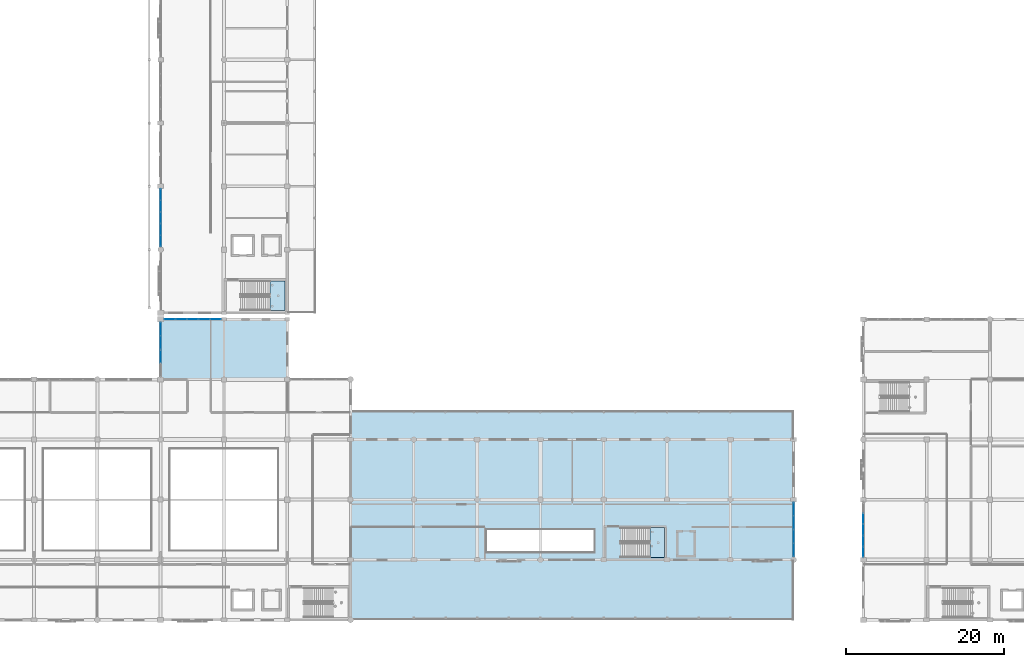
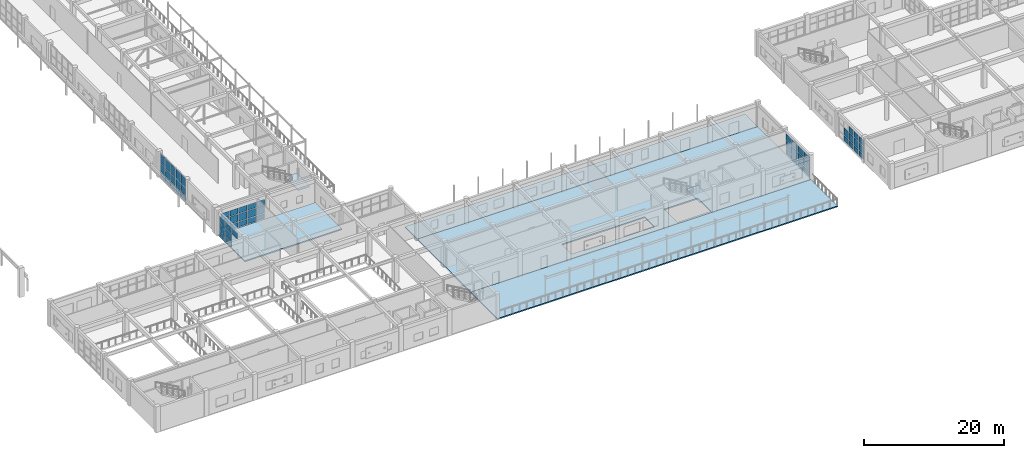
# One storey, part 112 of 160: 60 plates, 6 slabs, 7 elements without a shape of their own.
"""IFC4 building model written with IfcOpenShell, lengths in metres."""

from ifc_helpers import new_model, si_unit, direction, frame, origin, origin_2d, place, context, subcontext, project, spatial, polyline, rectangle, outline, extrude, material, layer, layer_set, type_object, element, aggregate, save


model = new_model("IFC4")

# Units and contexts
model_context = context("Model", 3, precision=1e-05, world=origin(), true_north=direction((0.0, 1.0)))
body_context = subcontext(model_context, "Body", "Model", "MODEL_VIEW")
ifc_project = project(units=[si_unit("LENGTHUNIT", "METRE"), si_unit("AREAUNIT", "SQUARE_METRE"), si_unit("VOLUMEUNIT", "CUBIC_METRE"), si_unit("PLANEANGLEUNIT", "RADIAN"), si_unit("MASSUNIT", "GRAM", prefix="KILO")], contexts=[model_context])

# Site, building, storey
site_placement = place(None, origin())
site = spatial("IfcSite", under=ifc_project, at=site_placement, CompositionType="ELEMENT")
building_placement = place(site_placement, origin())
building = spatial("IfcBuilding", under=site, at=building_placement, Name="Kharva Crest Polytechnic", CompositionType="ELEMENT")
storey_placement = place(building_placement, frame((0.0, 0.0, 4.5)))
storey = spatial("IfcBuildingStorey", under=building, at=storey_placement, Name="L01", CompositionType="ELEMENT", Elevation=4.5)

# Curtain wall, plates
ifc_material_1 = material(Name="Tempered insulated glass", Category="glass")
curtain_wall_type_1 = type_object("IfcCurtainWallType", Name="CW-SYS-COURT", PredefinedType="USERDEFINED", material=ifc_material_1)
curtain_wall_1_placement = place(storey_placement, origin())
curtain_wall_1 = element("IfcCurtainWall", 1, at=curtain_wall_1_placement, inside=storey, type_object=curtain_wall_type_1, Name="L01 Glazed Curtain Wall CW-034", ObjectType="CURTAIN WALL", PredefinedType="USERDEFINED")
ifc_layer_1 = layer(ifc_material_1, 0.02392578125, Name="Tempered insulated glass")
ifc_layer_set_1 = layer_set([ifc_layer_1], Name="Tempered insulated glass")
plate_type_1 = type_object("IfcPlateType", Name="CWP-GLZ-24", PredefinedType="CURTAIN_PANEL", material=ifc_layer_set_1)
plate_1_placement = place(storey_placement, frame((112.0, 8.851318359375, 0.119873046875), z_axis=(0.0, 0.0, 1.0), x_axis=(0.0, 1.0, 0.0)))
plate_1 = element("IfcPlate", 2, at=plate_1_placement, type_object=plate_type_1, Name="CW-034 panel 1.1", PredefinedType="CURTAIN_PANEL", context=body_context, shape_type="SweptSolid", body=[
    extrude(rectangle(XDim=1.612548828125, YDim=0.02392578125, at=origin_2d()), origin(), (0.0, 0.0, 1.0), 0.8701171875),
])
plate_2_placement = place(storey_placement, frame((112.0, 8.851318359375, 1.10986328125), z_axis=(0.0, 0.0, 1.0), x_axis=(0.0, 1.0, 0.0)))
plate_2 = element("IfcPlate", 3, at=plate_2_placement, type_object=plate_type_1, Name="CW-034 panel 1.2", PredefinedType="CURTAIN_PANEL", context=body_context, shape_type="SweptSolid", body=[
    extrude(rectangle(XDim=1.612548828125, YDim=0.02392578125, at=origin_2d()), origin(), (0.0, 0.0, 1.0), 1.280029296875),
])
plate_3_placement = place(storey_placement, frame((112.0, 8.851318359375, 2.510009765625), z_axis=(0.0, 0.0, 1.0), x_axis=(0.0, 1.0, 0.0)))
plate_3 = element("IfcPlate", 4, at=plate_3_placement, type_object=plate_type_1, Name="CW-034 panel 1.3", PredefinedType="CURTAIN_PANEL", context=body_context, shape_type="SweptSolid", body=[
    extrude(rectangle(XDim=1.612548828125, YDim=0.02392578125, at=origin_2d()), origin(), (0.0, 0.0, 1.0), 1.1298828125),
])
plate_4_placement = place(storey_placement, frame((112.0, 10.563720703125, 0.119873046875), z_axis=(0.0, 0.0, 1.0), x_axis=(0.0, 1.0, 0.0)))
plate_4 = element("IfcPlate", 5, at=plate_4_placement, type_object=plate_type_1, Name="CW-034 panel 2.1", PredefinedType="CURTAIN_PANEL", context=body_context, shape_type="SweptSolid", body=[
    extrude(rectangle(XDim=1.652587890625, YDim=0.02392578125, at=origin_2d()), origin(), (0.0, 0.0, 1.0), 0.8701171875),
])
plate_5_placement = place(storey_placement, frame((112.0, 10.563720703125, 1.10986328125), z_axis=(0.0, 0.0, 1.0), x_axis=(0.0, 1.0, 0.0)))
plate_5 = element("IfcPlate", 6, at=plate_5_placement, type_object=plate_type_1, Name="CW-034 panel 2.2", PredefinedType="CURTAIN_PANEL", context=body_context, shape_type="SweptSolid", body=[
    extrude(rectangle(XDim=1.652587890625, YDim=0.02392578125, at=origin_2d()), origin(), (0.0, 0.0, 1.0), 1.280029296875),
])
plate_6_placement = place(storey_placement, frame((112.0, 10.563720703125, 2.510009765625), z_axis=(0.0, 0.0, 1.0), x_axis=(0.0, 1.0, 0.0)))
plate_6 = element("IfcPlate", 7, at=plate_6_placement, type_object=plate_type_1, Name="CW-034 panel 2.3", PredefinedType="CURTAIN_PANEL", context=body_context, shape_type="SweptSolid", body=[
    extrude(rectangle(XDim=1.652587890625, YDim=0.02392578125, at=origin_2d()), origin(), (0.0, 0.0, 1.0), 1.1298828125),
])
plate_7_placement = place(storey_placement, frame((112.0, 12.296142578125, 0.119873046875), z_axis=(0.0, 0.0, 1.0), x_axis=(0.0, 1.0, 0.0)))
plate_7 = element("IfcPlate", 8, at=plate_7_placement, type_object=plate_type_1, Name="CW-034 panel 3.1", PredefinedType="CURTAIN_PANEL", context=body_context, shape_type="SweptSolid", body=[
    extrude(rectangle(XDim=1.652587890625, YDim=0.02392578125, at=origin_2d()), origin(), (0.0, 0.0, 1.0), 0.8701171875),
])
plate_8_placement = place(storey_placement, frame((112.0, 12.296142578125, 1.10986328125), z_axis=(0.0, 0.0, 1.0), x_axis=(0.0, 1.0, 0.0)))
plate_8 = element("IfcPlate", 9, at=plate_8_placement, type_object=plate_type_1, Name="CW-034 panel 3.2", PredefinedType="CURTAIN_PANEL", context=body_context, shape_type="SweptSolid", body=[
    extrude(rectangle(XDim=1.652587890625, YDim=0.02392578125, at=origin_2d()), origin(), (0.0, 0.0, 1.0), 1.280029296875),
])
plate_9_placement = place(storey_placement, frame((112.0, 12.296142578125, 2.510009765625), z_axis=(0.0, 0.0, 1.0), x_axis=(0.0, 1.0, 0.0)))
plate_9 = element("IfcPlate", 10, at=plate_9_placement, type_object=plate_type_1, Name="CW-034 panel 3.3", PredefinedType="CURTAIN_PANEL", context=body_context, shape_type="SweptSolid", body=[
    extrude(rectangle(XDim=1.652587890625, YDim=0.02392578125, at=origin_2d()), origin(), (0.0, 0.0, 1.0), 1.1298828125),
])
plate_10_placement = place(storey_placement, frame((112.0, 14.0087890625, 0.119873046875), z_axis=(0.0, 0.0, 1.0), x_axis=(0.0, 1.0, 0.0)))
plate_10 = element("IfcPlate", 11, at=plate_10_placement, type_object=plate_type_1, Name="CW-034 panel 4.1", PredefinedType="CURTAIN_PANEL", context=body_context, shape_type="SweptSolid", body=[
    extrude(rectangle(XDim=1.612548828125, YDim=0.02392578125, at=origin_2d()), origin(), (0.0, 0.0, 1.0), 0.8701171875),
])
plate_11_placement = place(storey_placement, frame((112.0, 14.0087890625, 1.10986328125), z_axis=(0.0, 0.0, 1.0), x_axis=(0.0, 1.0, 0.0)))
plate_11 = element("IfcPlate", 12, at=plate_11_placement, type_object=plate_type_1, Name="CW-034 panel 4.2", PredefinedType="CURTAIN_PANEL", context=body_context, shape_type="SweptSolid", body=[
    extrude(rectangle(XDim=1.612548828125, YDim=0.02392578125, at=origin_2d()), origin(), (0.0, 0.0, 1.0), 1.280029296875),
])
plate_12_placement = place(storey_placement, frame((112.0, 14.0087890625, 2.510009765625), z_axis=(0.0, 0.0, 1.0), x_axis=(0.0, 1.0, 0.0)))
plate_12 = element("IfcPlate", 13, at=plate_12_placement, type_object=plate_type_1, Name="CW-034 panel 4.3", PredefinedType="CURTAIN_PANEL", context=body_context, shape_type="SweptSolid", body=[
    extrude(rectangle(XDim=1.612548828125, YDim=0.02392578125, at=origin_2d()), origin(), (0.0, 0.0, 1.0), 1.1298828125),
])
aggregate(curtain_wall_1, [plate_1, plate_2, plate_3, plate_4, plate_5, plate_6, plate_7, plate_8, plate_9, plate_10, plate_11, plate_12])

curtain_wall_2_placement = place(storey_placement, origin())
curtain_wall_2 = element("IfcCurtainWall", 14, at=curtain_wall_2_placement, inside=storey, type_object=curtain_wall_type_1, Name="L01 Glazed Curtain Wall CW-036", ObjectType="CURTAIN WALL", PredefinedType="USERDEFINED")
plate_13_placement = place(storey_placement, frame((38.946044921875, 38.0, 0.119873046875), z_axis=(0.0, 0.0, 1.0), x_axis=(-1.0, 0.0, 0.0)))
plate_13 = element("IfcPlate", 15, at=plate_13_placement, type_object=plate_type_1, Name="CW-036 panel 1.1", PredefinedType="CURTAIN_PANEL", context=body_context, shape_type="SweptSolid", body=[
    extrude(rectangle(XDim=1.337890625, YDim=0.02392578125, at=origin_2d()), origin(), (0.0, 0.0, 1.0), 0.8701171875),
])
plate_14_placement = place(storey_placement, frame((38.946044921875, 38.0, 1.10986328125), z_axis=(0.0, 0.0, 1.0), x_axis=(-1.0, 0.0, 0.0)))
plate_14 = element("IfcPlate", 16, at=plate_14_placement, type_object=plate_type_1, Name="CW-036 panel 1.2", PredefinedType="CURTAIN_PANEL", context=body_context, shape_type="SweptSolid", body=[
    extrude(rectangle(XDim=1.337890625, YDim=0.02392578125, at=origin_2d()), origin(), (0.0, 0.0, 1.0), 1.280029296875),
])
plate_15_placement = place(storey_placement, frame((38.946044921875, 38.0, 2.510009765625), z_axis=(0.0, 0.0, 1.0), x_axis=(-1.0, 0.0, 0.0)))
plate_15 = element("IfcPlate", 17, at=plate_15_placement, type_object=plate_type_1, Name="CW-036 panel 1.3", PredefinedType="CURTAIN_PANEL", context=body_context, shape_type="SweptSolid", body=[
    extrude(rectangle(XDim=1.337890625, YDim=0.02392578125, at=origin_2d()), origin(), (0.0, 0.0, 1.0), 0.93994140625),
])
plate_16_placement = place(storey_placement, frame((37.508056640625, 38.0, 0.119873046875), z_axis=(0.0, 0.0, 1.0), x_axis=(-1.0, 0.0, 0.0)))
plate_16 = element("IfcPlate", 18, at=plate_16_placement, type_object=plate_type_1, Name="CW-036 panel 2.1", PredefinedType="CURTAIN_PANEL", context=body_context, shape_type="SweptSolid", body=[
    extrude(rectangle(XDim=1.3779296875, YDim=0.02392578125, at=origin_2d()), origin(), (0.0, 0.0, 1.0), 0.8701171875),
])
plate_17_placement = place(storey_placement, frame((37.508056640625, 38.0, 1.10986328125), z_axis=(0.0, 0.0, 1.0), x_axis=(-1.0, 0.0, 0.0)))
plate_17 = element("IfcPlate", 19, at=plate_17_placement, type_object=plate_type_1, Name="CW-036 panel 2.2", PredefinedType="CURTAIN_PANEL", context=body_context, shape_type="SweptSolid", body=[
    extrude(rectangle(XDim=1.3779296875, YDim=0.02392578125, at=origin_2d()), origin(), (0.0, 0.0, 1.0), 1.280029296875),
])
plate_18_placement = place(storey_placement, frame((37.508056640625, 38.0, 2.510009765625), z_axis=(0.0, 0.0, 1.0), x_axis=(-1.0, 0.0, 0.0)))
plate_18 = element("IfcPlate", 20, at=plate_18_placement, type_object=plate_type_1, Name="CW-036 panel 2.3", PredefinedType="CURTAIN_PANEL", context=body_context, shape_type="SweptSolid", body=[
    extrude(rectangle(XDim=1.3779296875, YDim=0.02392578125, at=origin_2d()), origin(), (0.0, 0.0, 1.0), 0.93994140625),
])
plate_19_placement = place(storey_placement, frame((36.050048828125, 38.0, 0.119873046875), z_axis=(0.0, 0.0, 1.0), x_axis=(-1.0, 0.0, 0.0)))
plate_19 = element("IfcPlate", 21, at=plate_19_placement, type_object=plate_type_1, Name="CW-036 panel 3.1", PredefinedType="CURTAIN_PANEL", context=body_context, shape_type="SweptSolid", body=[
    extrude(rectangle(XDim=1.3779296875, YDim=0.02392578125, at=origin_2d()), origin(), (0.0, 0.0, 1.0), 0.8701171875),
])
plate_20_placement = place(storey_placement, frame((36.050048828125, 38.0, 1.10986328125), z_axis=(0.0, 0.0, 1.0), x_axis=(-1.0, 0.0, 0.0)))
plate_20 = element("IfcPlate", 22, at=plate_20_placement, type_object=plate_type_1, Name="CW-036 panel 3.2", PredefinedType="CURTAIN_PANEL", context=body_context, shape_type="SweptSolid", body=[
    extrude(rectangle(XDim=1.3779296875, YDim=0.02392578125, at=origin_2d()), origin(), (0.0, 0.0, 1.0), 1.280029296875),
])
plate_21_placement = place(storey_placement, frame((36.050048828125, 38.0, 2.510009765625), z_axis=(0.0, 0.0, 1.0), x_axis=(-1.0, 0.0, 0.0)))
plate_21 = element("IfcPlate", 23, at=plate_21_placement, type_object=plate_type_1, Name="CW-036 panel 3.3", PredefinedType="CURTAIN_PANEL", context=body_context, shape_type="SweptSolid", body=[
    extrude(rectangle(XDim=1.3779296875, YDim=0.02392578125, at=origin_2d()), origin(), (0.0, 0.0, 1.0), 0.93994140625),
])
plate_22_placement = place(storey_placement, frame((34.592041015625, 38.0, 0.119873046875), z_axis=(0.0, 0.0, 1.0), x_axis=(-1.0, 0.0, 0.0)))
plate_22 = element("IfcPlate", 24, at=plate_22_placement, type_object=plate_type_1, Name="CW-036 panel 4.1", PredefinedType="CURTAIN_PANEL", context=body_context, shape_type="SweptSolid", body=[
    extrude(rectangle(XDim=1.3779296875, YDim=0.02392578125, at=origin_2d()), origin(), (0.0, 0.0, 1.0), 0.8701171875),
])
plate_23_placement = place(storey_placement, frame((34.592041015625, 38.0, 1.10986328125), z_axis=(0.0, 0.0, 1.0), x_axis=(-1.0, 0.0, 0.0)))
plate_23 = element("IfcPlate", 25, at=plate_23_placement, type_object=plate_type_1, Name="CW-036 panel 4.2", PredefinedType="CURTAIN_PANEL", context=body_context, shape_type="SweptSolid", body=[
    extrude(rectangle(XDim=1.3779296875, YDim=0.02392578125, at=origin_2d()), origin(), (0.0, 0.0, 1.0), 1.280029296875),
])
plate_24_placement = place(storey_placement, frame((34.592041015625, 38.0, 2.510009765625), z_axis=(0.0, 0.0, 1.0), x_axis=(-1.0, 0.0, 0.0)))
plate_24 = element("IfcPlate", 26, at=plate_24_placement, type_object=plate_type_1, Name="CW-036 panel 4.3", PredefinedType="CURTAIN_PANEL", context=body_context, shape_type="SweptSolid", body=[
    extrude(rectangle(XDim=1.3779296875, YDim=0.02392578125, at=origin_2d()), origin(), (0.0, 0.0, 1.0), 0.93994140625),
])
plate_25_placement = place(storey_placement, frame((33.154052734375, 38.0, 0.119873046875), z_axis=(0.0, 0.0, 1.0), x_axis=(-1.0, 0.0, 0.0)))
plate_25 = element("IfcPlate", 27, at=plate_25_placement, type_object=plate_type_1, Name="CW-036 panel 5.1", PredefinedType="CURTAIN_PANEL", context=body_context, shape_type="SweptSolid", body=[
    extrude(rectangle(XDim=1.337890625, YDim=0.02392578125, at=origin_2d()), origin(), (0.0, 0.0, 1.0), 0.8701171875),
])
plate_26_placement = place(storey_placement, frame((33.154052734375, 38.0, 1.10986328125), z_axis=(0.0, 0.0, 1.0), x_axis=(-1.0, 0.0, 0.0)))
plate_26 = element("IfcPlate", 28, at=plate_26_placement, type_object=plate_type_1, Name="CW-036 panel 5.2", PredefinedType="CURTAIN_PANEL", context=body_context, shape_type="SweptSolid", body=[
    extrude(rectangle(XDim=1.337890625, YDim=0.02392578125, at=origin_2d()), origin(), (0.0, 0.0, 1.0), 1.280029296875),
])
plate_27_placement = place(storey_placement, frame((33.154052734375, 38.0, 2.510009765625), z_axis=(0.0, 0.0, 1.0), x_axis=(-1.0, 0.0, 0.0)))
plate_27 = element("IfcPlate", 29, at=plate_27_placement, type_object=plate_type_1, Name="CW-036 panel 5.3", PredefinedType="CURTAIN_PANEL", context=body_context, shape_type="SweptSolid", body=[
    extrude(rectangle(XDim=1.337890625, YDim=0.02392578125, at=origin_2d()), origin(), (0.0, 0.0, 1.0), 0.93994140625),
])
aggregate(curtain_wall_2, [plate_13, plate_14, plate_15, plate_16, plate_17, plate_18, plate_19, plate_20, plate_21, plate_22, plate_23, plate_24, plate_25, plate_26, plate_27])

curtain_wall_3_placement = place(storey_placement, origin())
curtain_wall_3 = element("IfcCurtainWall", 30, at=curtain_wall_3_placement, inside=storey, type_object=curtain_wall_type_1, Name="L01 Glazed Curtain Wall CW-037", ObjectType="CURTAIN WALL", PredefinedType="USERDEFINED")
plate_28_placement = place(storey_placement, frame((32.0, 36.779296875, 0.119873046875), z_axis=(0.0, 0.0, 1.0), x_axis=(0.0, -1.0, 0.0)))
plate_28 = element("IfcPlate", 31, at=plate_28_placement, type_object=plate_type_1, Name="CW-037 panel 1.1", PredefinedType="CURTAIN_PANEL", context=body_context, shape_type="SweptSolid", body=[
    extrude(rectangle(XDim=1.621337890625, YDim=0.02392578125, at=origin_2d()), origin(), (0.0, 0.0, 1.0), 0.8701171875),
])
plate_29_placement = place(storey_placement, frame((32.0, 36.779296875, 1.10986328125), z_axis=(0.0, 0.0, 1.0), x_axis=(0.0, -1.0, 0.0)))
plate_29 = element("IfcPlate", 32, at=plate_29_placement, type_object=plate_type_1, Name="CW-037 panel 1.2", PredefinedType="CURTAIN_PANEL", context=body_context, shape_type="SweptSolid", body=[
    extrude(rectangle(XDim=1.621337890625, YDim=0.02392578125, at=origin_2d()), origin(), (0.0, 0.0, 1.0), 1.280029296875),
])
plate_30_placement = place(storey_placement, frame((32.0, 36.779296875, 2.51025390625), z_axis=(0.0, 0.0, 1.0), x_axis=(0.0, -1.0, 0.0)))
plate_30 = element("IfcPlate", 33, at=plate_30_placement, type_object=plate_type_1, Name="CW-037 panel 1.3", PredefinedType="CURTAIN_PANEL", context=body_context, shape_type="SweptSolid", body=[
    extrude(rectangle(XDim=1.621337890625, YDim=0.02392578125, at=origin_2d()), origin(), (0.0, 0.0, 1.0), 0.969970703125),
])
plate_31_placement = place(storey_placement, frame((32.0, 35.05810546875, 0.119873046875), z_axis=(0.0, 0.0, 1.0), x_axis=(0.0, -1.0, 0.0)))
plate_31 = element("IfcPlate", 34, at=plate_31_placement, type_object=plate_type_1, Name="CW-037 panel 2.1", PredefinedType="CURTAIN_PANEL", context=body_context, shape_type="SweptSolid", body=[
    extrude(rectangle(XDim=1.6611328125, YDim=0.02392578125, at=origin_2d()), origin(), (0.0, 0.0, 1.0), 0.8701171875),
])
plate_32_placement = place(storey_placement, frame((32.0, 35.05810546875, 1.10986328125), z_axis=(0.0, 0.0, 1.0), x_axis=(0.0, -1.0, 0.0)))
plate_32 = element("IfcPlate", 35, at=plate_32_placement, type_object=plate_type_1, Name="CW-037 panel 2.2", PredefinedType="CURTAIN_PANEL", context=body_context, shape_type="SweptSolid", body=[
    extrude(rectangle(XDim=1.6611328125, YDim=0.02392578125, at=origin_2d()), origin(), (0.0, 0.0, 1.0), 1.280029296875),
])
plate_33_placement = place(storey_placement, frame((32.0, 35.05810546875, 2.51025390625), z_axis=(0.0, 0.0, 1.0), x_axis=(0.0, -1.0, 0.0)))
plate_33 = element("IfcPlate", 36, at=plate_33_placement, type_object=plate_type_1, Name="CW-037 panel 2.3", PredefinedType="CURTAIN_PANEL", context=body_context, shape_type="SweptSolid", body=[
    extrude(rectangle(XDim=1.6611328125, YDim=0.02392578125, at=origin_2d()), origin(), (0.0, 0.0, 1.0), 0.969970703125),
])
plate_34_placement = place(storey_placement, frame((32.0, 33.31689453125, 2.51025390625), z_axis=(0.0, 0.0, 1.0), x_axis=(0.0, -1.0, 0.0)))
plate_34 = element("IfcPlate", 37, at=plate_34_placement, type_object=plate_type_1, Name="CW-037 panel 3.3", PredefinedType="CURTAIN_PANEL", context=body_context, shape_type="SweptSolid", body=[
    extrude(rectangle(XDim=1.6611328125, YDim=0.02392578125, at=origin_2d()), origin(), (0.0, 0.0, 1.0), 0.969970703125),
])
aggregate(curtain_wall_3, [plate_28, plate_29, plate_30, plate_31, plate_32, plate_33, plate_34])

curtain_wall_4_placement = place(storey_placement, origin())
curtain_wall_4 = element("IfcCurtainWall", 38, at=curtain_wall_4_placement, inside=storey, type_object=curtain_wall_type_1, Name="L01 Glazed Curtain Wall CW-055", ObjectType="CURTAIN WALL", PredefinedType="USERDEFINED")
plate_35_placement = place(storey_placement, frame((32.0, 53.741943359375, 0.119873046875), z_axis=(0.0, 0.0, 1.0), x_axis=(0.0, -1.0, 0.0)))
plate_35 = element("IfcPlate", 39, at=plate_35_placement, type_object=plate_type_1, Name="CW-055 panel 1.1", PredefinedType="CURTAIN_PANEL", context=body_context, shape_type="SweptSolid", body=[
    extrude(rectangle(XDim=1.345947265625, YDim=0.02392578125, at=origin_2d()), origin(), (0.0, 0.0, 1.0), 0.8701171875),
])
plate_36_placement = place(storey_placement, frame((32.0, 53.741943359375, 1.10986328125), z_axis=(0.0, 0.0, 1.0), x_axis=(0.0, -1.0, 0.0)))
plate_36 = element("IfcPlate", 40, at=plate_36_placement, type_object=plate_type_1, Name="CW-055 panel 1.2", PredefinedType="CURTAIN_PANEL", context=body_context, shape_type="SweptSolid", body=[
    extrude(rectangle(XDim=1.345947265625, YDim=0.02392578125, at=origin_2d()), origin(), (0.0, 0.0, 1.0), 1.280029296875),
])
plate_37_placement = place(storey_placement, frame((32.0, 53.741943359375, 2.509765625), z_axis=(0.0, 0.0, 1.0), x_axis=(0.0, -1.0, 0.0)))
plate_37 = element("IfcPlate", 41, at=plate_37_placement, type_object=plate_type_1, Name="CW-055 panel 1.3", PredefinedType="CURTAIN_PANEL", context=body_context, shape_type="SweptSolid", body=[
    extrude(rectangle(XDim=1.345947265625, YDim=0.02392578125, at=origin_2d()), origin(), (0.0, 0.0, 1.0), 1.590087890625),
])
plate_38_placement = place(storey_placement, frame((32.0, 52.2958984375, 0.119873046875), z_axis=(0.0, 0.0, 1.0), x_axis=(0.0, -1.0, 0.0)))
plate_38 = element("IfcPlate", 42, at=plate_38_placement, type_object=plate_type_1, Name="CW-055 panel 2.1", PredefinedType="CURTAIN_PANEL", context=body_context, shape_type="SweptSolid", body=[
    extrude(rectangle(XDim=1.385986328125, YDim=0.02392578125, at=origin_2d()), origin(), (0.0, 0.0, 1.0), 0.8701171875),
])
plate_39_placement = place(storey_placement, frame((32.0, 52.2958984375, 1.10986328125), z_axis=(0.0, 0.0, 1.0), x_axis=(0.0, -1.0, 0.0)))
plate_39 = element("IfcPlate", 43, at=plate_39_placement, type_object=plate_type_1, Name="CW-055 panel 2.2", PredefinedType="CURTAIN_PANEL", context=body_context, shape_type="SweptSolid", body=[
    extrude(rectangle(XDim=1.385986328125, YDim=0.02392578125, at=origin_2d()), origin(), (0.0, 0.0, 1.0), 1.280029296875),
])
plate_40_placement = place(storey_placement, frame((32.0, 52.2958984375, 2.509765625), z_axis=(0.0, 0.0, 1.0), x_axis=(0.0, -1.0, 0.0)))
plate_40 = element("IfcPlate", 44, at=plate_40_placement, type_object=plate_type_1, Name="CW-055 panel 2.3", PredefinedType="CURTAIN_PANEL", context=body_context, shape_type="SweptSolid", body=[
    extrude(rectangle(XDim=1.385986328125, YDim=0.02392578125, at=origin_2d()), origin(), (0.0, 0.0, 1.0), 1.590087890625),
])
plate_41_placement = place(storey_placement, frame((32.0, 50.830078125, 0.119873046875), z_axis=(0.0, 0.0, 1.0), x_axis=(0.0, -1.0, 0.0)))
plate_41 = element("IfcPlate", 45, at=plate_41_placement, type_object=plate_type_1, Name="CW-055 panel 3.1", PredefinedType="CURTAIN_PANEL", context=body_context, shape_type="SweptSolid", body=[
    extrude(rectangle(XDim=1.385986328125, YDim=0.02392578125, at=origin_2d()), origin(), (0.0, 0.0, 1.0), 0.8701171875),
])
plate_42_placement = place(storey_placement, frame((32.0, 50.830078125, 1.10986328125), z_axis=(0.0, 0.0, 1.0), x_axis=(0.0, -1.0, 0.0)))
plate_42 = element("IfcPlate", 46, at=plate_42_placement, type_object=plate_type_1, Name="CW-055 panel 3.2", PredefinedType="CURTAIN_PANEL", context=body_context, shape_type="SweptSolid", body=[
    extrude(rectangle(XDim=1.385986328125, YDim=0.02392578125, at=origin_2d()), origin(), (0.0, 0.0, 1.0), 1.280029296875),
])
plate_43_placement = place(storey_placement, frame((32.0, 50.830078125, 2.509765625), z_axis=(0.0, 0.0, 1.0), x_axis=(0.0, -1.0, 0.0)))
plate_43 = element("IfcPlate", 47, at=plate_43_placement, type_object=plate_type_1, Name="CW-055 panel 3.3", PredefinedType="CURTAIN_PANEL", context=body_context, shape_type="SweptSolid", body=[
    extrude(rectangle(XDim=1.385986328125, YDim=0.02392578125, at=origin_2d()), origin(), (0.0, 0.0, 1.0), 1.590087890625),
])
plate_44_placement = place(storey_placement, frame((32.0, 49.364013671875, 0.119873046875), z_axis=(0.0, 0.0, 1.0), x_axis=(0.0, -1.0, 0.0)))
plate_44 = element("IfcPlate", 48, at=plate_44_placement, type_object=plate_type_1, Name="CW-055 panel 4.1", PredefinedType="CURTAIN_PANEL", context=body_context, shape_type="SweptSolid", body=[
    extrude(rectangle(XDim=1.385986328125, YDim=0.02392578125, at=origin_2d()), origin(), (0.0, 0.0, 1.0), 0.8701171875),
])
plate_45_placement = place(storey_placement, frame((32.0, 49.364013671875, 1.10986328125), z_axis=(0.0, 0.0, 1.0), x_axis=(0.0, -1.0, 0.0)))
plate_45 = element("IfcPlate", 49, at=plate_45_placement, type_object=plate_type_1, Name="CW-055 panel 4.2", PredefinedType="CURTAIN_PANEL", context=body_context, shape_type="SweptSolid", body=[
    extrude(rectangle(XDim=1.385986328125, YDim=0.02392578125, at=origin_2d()), origin(), (0.0, 0.0, 1.0), 1.280029296875),
])
plate_46_placement = place(storey_placement, frame((32.0, 49.364013671875, 2.509765625), z_axis=(0.0, 0.0, 1.0), x_axis=(0.0, -1.0, 0.0)))
plate_46 = element("IfcPlate", 50, at=plate_46_placement, type_object=plate_type_1, Name="CW-055 panel 4.3", PredefinedType="CURTAIN_PANEL", context=body_context, shape_type="SweptSolid", body=[
    extrude(rectangle(XDim=1.385986328125, YDim=0.02392578125, at=origin_2d()), origin(), (0.0, 0.0, 1.0), 1.590087890625),
])
plate_47_placement = place(storey_placement, frame((32.0, 47.91796875, 0.119873046875), z_axis=(0.0, 0.0, 1.0), x_axis=(0.0, -1.0, 0.0)))
plate_47 = element("IfcPlate", 51, at=plate_47_placement, type_object=plate_type_1, Name="CW-055 panel 5.1", PredefinedType="CURTAIN_PANEL", context=body_context, shape_type="SweptSolid", body=[
    extrude(rectangle(XDim=1.345947265625, YDim=0.02392578125, at=origin_2d()), origin(), (0.0, 0.0, 1.0), 0.8701171875),
])
plate_48_placement = place(storey_placement, frame((32.0, 47.91796875, 1.10986328125), z_axis=(0.0, 0.0, 1.0), x_axis=(0.0, -1.0, 0.0)))
plate_48 = element("IfcPlate", 52, at=plate_48_placement, type_object=plate_type_1, Name="CW-055 panel 5.2", PredefinedType="CURTAIN_PANEL", context=body_context, shape_type="SweptSolid", body=[
    extrude(rectangle(XDim=1.345947265625, YDim=0.02392578125, at=origin_2d()), origin(), (0.0, 0.0, 1.0), 1.280029296875),
])
plate_49_placement = place(storey_placement, frame((32.0, 47.91796875, 2.509765625), z_axis=(0.0, 0.0, 1.0), x_axis=(0.0, -1.0, 0.0)))
plate_49 = element("IfcPlate", 53, at=plate_49_placement, type_object=plate_type_1, Name="CW-055 panel 5.3", PredefinedType="CURTAIN_PANEL", context=body_context, shape_type="SweptSolid", body=[
    extrude(rectangle(XDim=1.345947265625, YDim=0.02392578125, at=origin_2d()), origin(), (0.0, 0.0, 1.0), 1.590087890625),
])
aggregate(curtain_wall_4, [plate_35, plate_36, plate_37, plate_38, plate_39, plate_40, plate_41, plate_42, plate_43, plate_44, plate_45, plate_46, plate_47, plate_48, plate_49])

curtain_wall_type_2 = type_object("IfcCurtainWallType", Name="CW-SYS-REFECTORY", PredefinedType="USERDEFINED", material=ifc_material_1)
curtain_wall_5_placement = place(storey_placement, origin())
curtain_wall_5 = element("IfcCurtainWall", 54, at=curtain_wall_5_placement, inside=storey, type_object=curtain_wall_type_2, Name="L01 Glazed Curtain Wall CW-044", ObjectType="CURTAIN WALL", PredefinedType="USERDEFINED")
ifc_layer_2 = layer(ifc_material_1, 0.030029296875, Name="Tempered insulated glass")
ifc_layer_set_2 = layer_set([ifc_layer_2], Name="Tempered insulated glass")
plate_type_2 = type_object("IfcPlateType", Name="CWP-GLZ-30", PredefinedType="CURTAIN_PANEL", material=ifc_layer_set_2)
plate_50_placement = place(storey_placement, frame((120.800048828125, 12.80810546875, 0.14013671875), z_axis=(0.0, 0.0, 1.0), x_axis=(0.0, -1.0, 0.0)))
plate_50 = element("IfcPlate", 55, at=plate_50_placement, type_object=plate_type_2, Name="CW-044 panel 2.1", PredefinedType="CURTAIN_PANEL", context=body_context, shape_type="SweptSolid", body=[
    extrude(rectangle(XDim=1.30810546875, YDim=0.030029296875, at=origin_2d()), origin(), (0.0, 0.0, 1.0), 0.840087890625),
])
plate_51_placement = place(storey_placement, frame((120.800048828125, 12.80810546875, 1.1201171875), z_axis=(0.0, 0.0, 1.0), x_axis=(0.0, -1.0, 0.0)))
plate_51 = element("IfcPlate", 56, at=plate_51_placement, type_object=plate_type_2, Name="CW-044 panel 2.2", PredefinedType="CURTAIN_PANEL", context=body_context, shape_type="SweptSolid", body=[
    extrude(rectangle(XDim=1.30810546875, YDim=0.030029296875, at=origin_2d()), origin(), (0.0, 0.0, 1.0), 1.260009765625),
])
plate_52_placement = place(storey_placement, frame((120.800048828125, 11.39990234375, 0.14013671875), z_axis=(0.0, 0.0, 1.0), x_axis=(0.0, -1.0, 0.0)))
plate_52 = element("IfcPlate", 57, at=plate_52_placement, type_object=plate_type_2, Name="CW-044 panel 3.1", PredefinedType="CURTAIN_PANEL", context=body_context, shape_type="SweptSolid", body=[
    extrude(rectangle(XDim=1.30810546875, YDim=0.030029296875, at=origin_2d()), origin(), (0.0, 0.0, 1.0), 0.840087890625),
])
plate_53_placement = place(storey_placement, frame((120.800048828125, 11.39990234375, 1.1201171875), z_axis=(0.0, 0.0, 1.0), x_axis=(0.0, -1.0, 0.0)))
plate_53 = element("IfcPlate", 58, at=plate_53_placement, type_object=plate_type_2, Name="CW-044 panel 3.2", PredefinedType="CURTAIN_PANEL", context=body_context, shape_type="SweptSolid", body=[
    extrude(rectangle(XDim=1.30810546875, YDim=0.030029296875, at=origin_2d()), origin(), (0.0, 0.0, 1.0), 1.260009765625),
])
plate_54_placement = place(storey_placement, frame((120.800048828125, 11.39990234375, 2.52001953125), z_axis=(0.0, 0.0, 1.0), x_axis=(0.0, -1.0, 0.0)))
plate_54 = element("IfcPlate", 59, at=plate_54_placement, type_object=plate_type_2, Name="CW-044 panel 3.3", PredefinedType="CURTAIN_PANEL", context=body_context, shape_type="SweptSolid", body=[
    extrude(rectangle(XDim=1.30810546875, YDim=0.030029296875, at=origin_2d()), origin(), (0.0, 0.0, 1.0), 0.97998046875),
])
plate_55_placement = place(storey_placement, frame((120.800048828125, 9.991943359375, 0.14013671875), z_axis=(0.0, 0.0, 1.0), x_axis=(0.0, -1.0, 0.0)))
plate_55 = element("IfcPlate", 60, at=plate_55_placement, type_object=plate_type_2, Name="CW-044 panel 4.1", PredefinedType="CURTAIN_PANEL", context=body_context, shape_type="SweptSolid", body=[
    extrude(rectangle(XDim=1.30810546875, YDim=0.030029296875, at=origin_2d()), origin(), (0.0, 0.0, 1.0), 0.840087890625),
])
plate_56_placement = place(storey_placement, frame((120.800048828125, 9.991943359375, 1.1201171875), z_axis=(0.0, 0.0, 1.0), x_axis=(0.0, -1.0, 0.0)))
plate_56 = element("IfcPlate", 61, at=plate_56_placement, type_object=plate_type_2, Name="CW-044 panel 4.2", PredefinedType="CURTAIN_PANEL", context=body_context, shape_type="SweptSolid", body=[
    extrude(rectangle(XDim=1.30810546875, YDim=0.030029296875, at=origin_2d()), origin(), (0.0, 0.0, 1.0), 1.260009765625),
])
plate_57_placement = place(storey_placement, frame((120.800048828125, 9.991943359375, 2.52001953125), z_axis=(0.0, 0.0, 1.0), x_axis=(0.0, -1.0, 0.0)))
plate_57 = element("IfcPlate", 62, at=plate_57_placement, type_object=plate_type_2, Name="CW-044 panel 4.3", PredefinedType="CURTAIN_PANEL", context=body_context, shape_type="SweptSolid", body=[
    extrude(rectangle(XDim=1.30810546875, YDim=0.030029296875, at=origin_2d()), origin(), (0.0, 0.0, 1.0), 0.97998046875),
])
plate_58_placement = place(storey_placement, frame((120.800048828125, 8.60888671875, 0.14013671875), z_axis=(0.0, 0.0, 1.0), x_axis=(0.0, -1.0, 0.0)))
plate_58 = element("IfcPlate", 63, at=plate_58_placement, type_object=plate_type_2, Name="CW-044 panel 5.1", PredefinedType="CURTAIN_PANEL", context=body_context, shape_type="SweptSolid", body=[
    extrude(rectangle(XDim=1.258056640625, YDim=0.030029296875, at=origin_2d()), origin(), (0.0, 0.0, 1.0), 0.840087890625),
])
plate_59_placement = place(storey_placement, frame((120.800048828125, 8.60888671875, 1.1201171875), z_axis=(0.0, 0.0, 1.0), x_axis=(0.0, -1.0, 0.0)))
plate_59 = element("IfcPlate", 64, at=plate_59_placement, type_object=plate_type_2, Name="CW-044 panel 5.2", PredefinedType="CURTAIN_PANEL", context=body_context, shape_type="SweptSolid", body=[
    extrude(rectangle(XDim=1.258056640625, YDim=0.030029296875, at=origin_2d()), origin(), (0.0, 0.0, 1.0), 1.260009765625),
])
plate_60_placement = place(storey_placement, frame((120.800048828125, 8.60888671875, 2.52001953125), z_axis=(0.0, 0.0, 1.0), x_axis=(0.0, -1.0, 0.0)))
plate_60 = element("IfcPlate", 65, at=plate_60_placement, type_object=plate_type_2, Name="CW-044 panel 5.3", PredefinedType="CURTAIN_PANEL", context=body_context, shape_type="SweptSolid", body=[
    extrude(rectangle(XDim=1.258056640625, YDim=0.030029296875, at=origin_2d()), origin(), (0.0, 0.0, 1.0), 0.97998046875),
])
aggregate(curtain_wall_5, [plate_50, plate_51, plate_52, plate_53, plate_54, plate_55, plate_56, plate_57, plate_58, plate_59, plate_60])

# Slabs
ifc_material_2 = material(Name="Concrete C35/45", Category="concrete")
ifc_layer_3 = layer(ifc_material_2, 0.2099609375, Name="Concrete C35/45")
ifc_layer_set_3 = layer_set([ifc_layer_3], Name="Concrete C35/45")
slab_type_1 = type_object("IfcSlabType", Name="SLB-FLR-210", PredefinedType="FLOOR", material=ifc_layer_set_3)
slab_1_placement = place(storey_placement, frame((0.0, 0.0, -0.2099609375)))
element("IfcSlab", 66, at=slab_1_placement, inside=storey, type_object=slab_type_1, Name="L01 Structural Slab SW_LINK", PredefinedType="FLOOR", context=body_context, shape_type="SweptSolid", body=[
    extrude(outline(polyline([(32.0, 30.39990234375), (48.0, 30.39990234375), (48.0, 38.0), (32.0, 38.0), (32.0, 30.39990234375)])), origin(), (0.0, 0.0, 1.0), 0.2099609375),
])
slab_2_placement = place(storey_placement, frame((0.0, 0.0, -0.2099609375)))
element("IfcSlab", 67, at=slab_2_placement, inside=storey, type_object=slab_type_1, Name="L01 Structural Slab S_ADMIN", PredefinedType="FLOOR", context=body_context, shape_type="SweptSolid", body=[
    extrude(outline(polyline([(56.0, 7.60009765625), (112.0, 7.60009765625), (112.0, 22.800048828125), (56.0, 22.800048828125), (56.0, 7.60009765625)]), holes=[polyline([(90.159912109375, 7.89990234375), (95.699951171875, 7.89990234375), (95.699951171875, 11.659912109375), (90.159912109375, 11.659912109375), (90.159912109375, 7.89990234375)]), polyline([(73.199951171875, 8.60009765625), (86.800048828125, 8.60009765625), (86.800048828125, 11.39990234375), (73.199951171875, 11.39990234375), (73.199951171875, 8.60009765625)])]), origin(), (0.0, 0.0, 1.0), 0.2099609375),
])

# Stair, slab
stair_type_1 = type_object("IfcStairType", Name="STR-DOGLEG-1780", PredefinedType="TWO_STRAIGHT_RUN_STAIR", material=ifc_material_2)
stair_1_placement = place(storey_placement, origin())
stair_1 = element("IfcStair", 68, at=stair_1_placement, inside=storey, type_object=stair_type_1, Name="L01 West Workshop Core C2", PredefinedType="TWO_STRAIGHT_RUN_STAIR")
ifc_layer_4 = layer(ifc_material_2, 0.199951171875, Name="Concrete C35/45")
ifc_layer_set_4 = layer_set([ifc_layer_4], Name="Concrete C35/45")
slab_type_2 = type_object("IfcSlabType", Name="SLB-LAND-200", PredefinedType="LANDING", material=ifc_layer_set_4)
slab_3_placement = place(storey_placement, frame((0.0, 0.0, 2.050048828125)))
slab_3 = element("IfcSlab", 69, at=slab_3_placement, type_object=slab_type_2, Name="ST-02 landing 1", PredefinedType="LANDING", context=body_context, shape_type="SweptSolid", body=[
    extrude(outline(polyline([(45.800048828125, 39.10009765625), (47.699951171875, 39.10009765625), (47.699951171875, 42.860107421875), (45.800048828125, 42.860107421875), (45.800048828125, 39.10009765625)])), origin(), (0.0, 0.0, 1.0), 0.199951171875),
])
aggregate(stair_1, [slab_3])

stair_type_2 = type_object("IfcStairType", Name="STR-DOGLEG-1810", PredefinedType="TWO_STRAIGHT_RUN_STAIR", material=ifc_material_2)
stair_2_placement = place(storey_placement, origin())
stair_2 = element("IfcStair", 70, at=stair_2_placement, inside=storey, type_object=stair_type_2, Name="L01 South Entrance Wing Stair C8", PredefinedType="TWO_STRAIGHT_RUN_STAIR")
slab_4_placement = place(storey_placement, frame((0.0, 0.0, 2.050048828125)))
slab_4 = element("IfcSlab", 71, at=slab_4_placement, type_object=slab_type_2, Name="ST-08 landing 1", PredefinedType="LANDING", context=body_context, shape_type="SweptSolid", body=[
    extrude(outline(polyline([(93.830078125, 7.89990234375), (95.699951171875, 7.89990234375), (95.699951171875, 11.659912109375), (93.830078125, 11.659912109375), (93.830078125, 7.89990234375)])), origin(), (0.0, 0.0, 1.0), 0.199951171875),
])
aggregate(stair_2, [slab_4])

# Slabs
ifc_layer_5 = layer(ifc_material_2, 0.199951171875, Name="Concrete C35/45")
ifc_layer_set_5 = layer_set([ifc_layer_5], Name="Concrete C35/45")
slab_type_3 = type_object("IfcSlabType", Name="SLB-VER-200", PredefinedType="FLOOR", material=ifc_layer_set_5)
slab_5_placement = place(storey_placement, frame((0.0, 0.0, -0.199951171875)))
element("IfcSlab", 72, at=slab_5_placement, inside=storey, type_object=slab_type_3, Name="L01 Outdoor Arcade Slab ARC_S_L01", PredefinedType="FLOOR", context=body_context, shape_type="SweptSolid", body=[
    extrude(outline(polyline([(56.0, 0.0), (112.0, 0.0), (112.0, 7.60009765625), (56.0, 7.60009765625), (56.0, 0.0)])), origin(), (0.0, 0.0, 1.0), 0.199951171875),
])
slab_6_placement = place(storey_placement, frame((0.0, 0.0, -0.199951171875)))
element("IfcSlab", 73, at=slab_6_placement, inside=storey, type_object=slab_type_3, Name="L01 Outdoor Veranda Slab VER_S_L01", PredefinedType="FLOOR", context=body_context, shape_type="SweptSolid", body=[
    extrude(outline(polyline([(56.0, 22.800048828125), (112.0, 22.800048828125), (112.0, 26.39990234375), (56.0, 26.39990234375), (56.0, 22.800048828125)])), origin(), (0.0, 0.0, 1.0), 0.199951171875),
])

save(model, "model.ifc")
